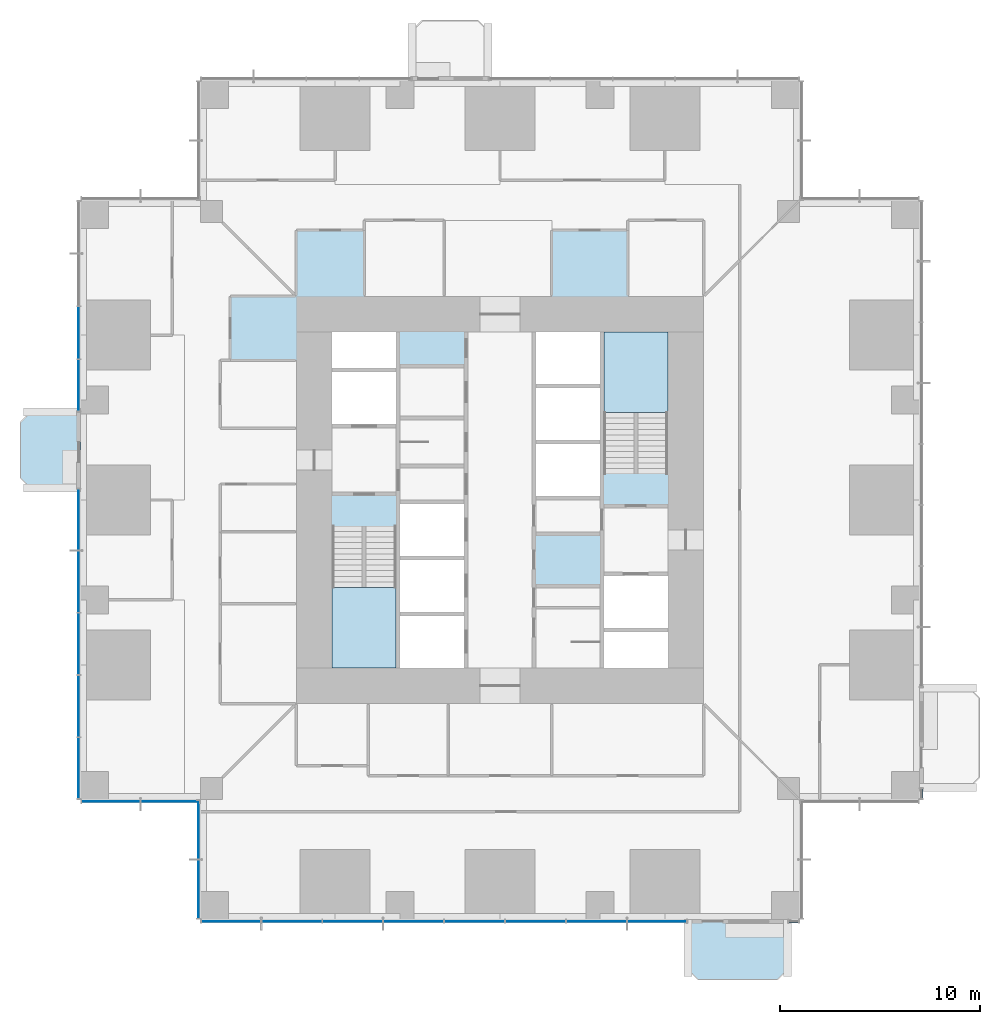
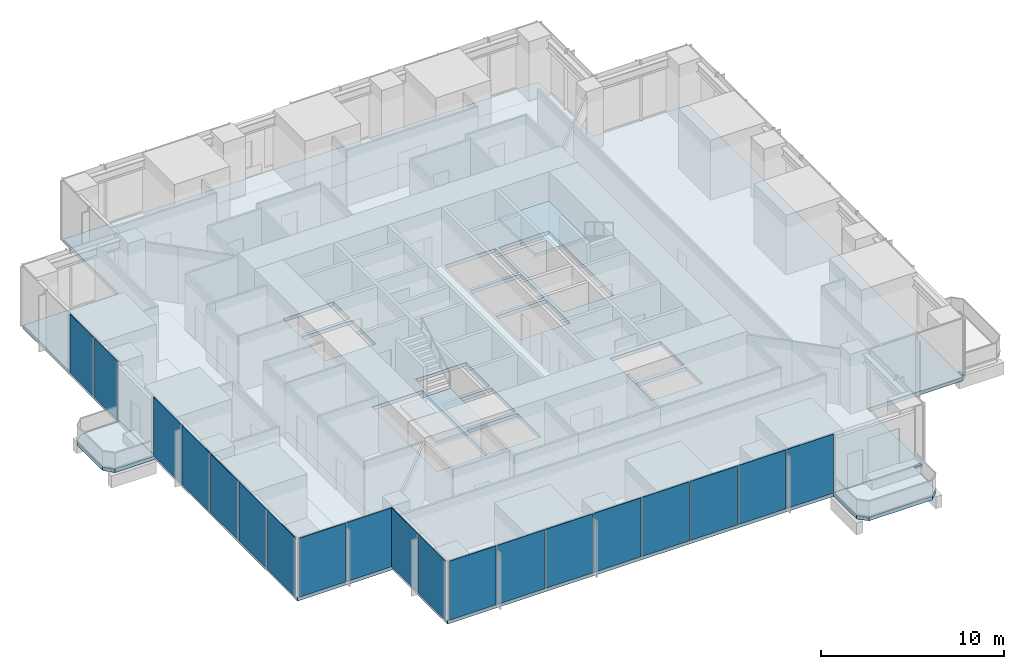
# One storey, part 7 of 15: 19 plates, 5 slabs, 2 members, 9 elements without a shape of their own.
"""IFC4 building model written with IfcOpenShell, lengths in metres."""

from ifc_helpers import new_model, si_unit, direction, frame, origin, origin_2d, place, context, subcontext, project, spatial, polyline, rectangle, outline, extrude, material, layer, layer_set, material_profile, profile_set, type_object, element, aggregate, save


model = new_model("IFC4")

# Units and contexts
model_context = context("Model", 3, precision=1e-05, world=origin(), true_north=direction((0.0, 1.0)))
body_context = subcontext(model_context, "Body", "Model", "MODEL_VIEW")
ifc_project = project(units=[si_unit("LENGTHUNIT", "METRE"), si_unit("AREAUNIT", "SQUARE_METRE"), si_unit("VOLUMEUNIT", "CUBIC_METRE"), si_unit("PLANEANGLEUNIT", "RADIAN"), si_unit("MASSUNIT", "GRAM", prefix="KILO")], contexts=[model_context])

# Site, building, storey
site_placement = place(None, origin())
site = spatial("IfcSite", under=ifc_project, at=site_placement, CompositionType="ELEMENT")
building_placement = place(site_placement, origin())
building = spatial("IfcBuilding", under=site, at=building_placement, Name="Svetlomir Tower", CompositionType="ELEMENT")
storey_placement = place(building_placement, frame((0.0, 0.0, 34.5)))
storey = spatial("IfcBuildingStorey", under=building, at=storey_placement, Name="L07", CompositionType="ELEMENT", Elevation=34.5)

# Curtain wall, member
ifc_material_1 = material(Name="Bronze anodised aluminium curtain wall", Category="aluminium")
curtain_wall_type = type_object("IfcCurtainWallType", Name="CURTAIN WALL CW1 TOWER OFFICE", PredefinedType="NOTDEFINED", material=ifc_material_1)
curtain_wall_1_placement = place(storey_placement, origin())
curtain_wall_1 = element("IfcCurtainWall", 1, at=curtain_wall_1_placement, inside=storey, type_object=curtain_wall_type, Name="Curtain wall CW1 L07", PredefinedType="NOTDEFINED")
ifc_material_2 = material(Name="Bronze anodised aluminium", Category="aluminium")
ifc_material_profile = material_profile(ifc_material_2, rectangle(XDim=0.139892578125, YDim=0.06494140625, at=origin_2d()), Name="AL 140x65")
ifc_profile_set = profile_set([ifc_material_profile], Name="Bronze anodised aluminium 6063-T6")
member_type = type_object("IfcMemberType", Name="CW1 TRANSOM 65x140", PredefinedType="USERDEFINED", material=ifc_profile_set)
member_1_placement = place(storey_placement, frame((35.465087890625, -0.10009765625, 0.032470703125), z_axis=(1.0, 0.0, 0.0), x_axis=(0.0, 1.0, 0.0)))
member_1 = element("IfcMember", 2, at=member_1_placement, type_object=member_type, Name="CW1 transom 1.1", ObjectType="TRANSOM", PredefinedType="USERDEFINED", context=body_context, shape_type="SweptSolid", body=[
    extrude(rectangle(XDim=0.139892578125, YDim=0.06494140625, at=origin_2d()), origin(), (0.0, 0.0, 1.0), 0.469970703125),
])
aggregate(curtain_wall_1, [member_1])

curtain_wall_2_placement = place(storey_placement, origin())
curtain_wall_2 = element("IfcCurtainWall", 3, at=curtain_wall_2_placement, inside=storey, type_object=curtain_wall_type, Name="Curtain wall CW1 L07", PredefinedType="NOTDEFINED")
member_2_placement = place(storey_placement, frame((42.10009765625, 6.06494140625, 0.032470703125), z_axis=(0.0, 1.0, 0.0), x_axis=(-1.0, 0.0, 0.0)))
member_2 = element("IfcMember", 4, at=member_2_placement, type_object=member_type, Name="CW1 transom 1.1", ObjectType="TRANSOM", PredefinedType="USERDEFINED", context=body_context, shape_type="SweptSolid", body=[
    extrude(rectangle(XDim=0.139892578125, YDim=0.06494140625, at=origin_2d()), origin(), (0.0, 0.0, 1.0), 0.469970703125),
])
aggregate(curtain_wall_2, [member_2])

# Slabs
ifc_material_3 = material(Name="Concrete C60/75", Category="concrete")
ifc_layer_1 = layer(ifc_material_3, 0.25)
ifc_layer_set_1 = layer_set([ifc_layer_1], Name="Concrete C60/75")
slab_type_1 = type_object("IfcSlabType", Name="BALCONY SLAB 250", PredefinedType="FLOOR", material=ifc_layer_set_1)
slab_1_placement = place(storey_placement, frame((0.0, 0.0, -0.25)))
element("IfcSlab", 5, at=slab_1_placement, inside=storey, type_object=slab_type_1, Name="L07 S planted balcony", PredefinedType="FLOOR", context=body_context, shape_type="SweptSolid", body=[
    extrude(outline(polyline([(30.39990234375, -2.5), (30.89990234375, -3.0), (34.89990234375, -3.0), (35.39990234375, -2.5), (35.39990234375, 0.0), (30.39990234375, 0.0), (30.39990234375, -2.5)])), origin(), (0.0, 0.0, 1.0), 0.25),
])
slab_2_placement = place(storey_placement, frame((0.0, 0.0, -0.25)))
element("IfcSlab", 6, at=slab_2_placement, inside=storey, type_object=slab_type_1, Name="L07 W planted balcony", PredefinedType="FLOOR", context=body_context, shape_type="SweptSolid", body=[
    extrude(outline(polyline([(-2.5, 21.60009765625), (0.0, 21.60009765625), (0.0, 25.39990234375), (-2.5, 25.39990234375), (-3.0, 24.89990234375), (-3.0, 22.10009765625), (-2.5, 21.60009765625)])), origin(), (0.0, 0.0, 1.0), 0.25),
])

# Curtain wall, plates
curtain_wall_3_placement = place(storey_placement, origin())
curtain_wall_3 = element("IfcCurtainWall", 7, at=curtain_wall_3_placement, inside=storey, type_object=curtain_wall_type, Name="Curtain wall CW1 L07", PredefinedType="NOTDEFINED")
ifc_material_4 = material(Name="Tinted double glazed unit", Category="glass")
ifc_layer_2 = layer(ifc_material_4, 0.031982421875)
ifc_layer_set_2 = layer_set([ifc_layer_2], Name="Tinted double glazed unit")
plate_type = type_object("IfcPlateType", Name="CW1 GLAZED PANEL 32", PredefinedType="CURTAIN_PANEL", material=ifc_layer_set_2)
plate_1_placement = place(storey_placement, frame((7.541259765625, -0.10009765625, 0.06494140625), z_axis=(0.0, 0.0, 1.0), x_axis=(1.0, 0.0, 0.0)))
plate_1 = element("IfcPlate", 8, at=plate_1_placement, type_object=plate_type, Name="CW1 panel 1.1", PredefinedType="CURTAIN_PANEL", context=body_context, shape_type="SweptSolid", body=[
    extrude(rectangle(XDim=2.952392578125, YDim=0.031982421875, at=origin_2d()), origin(), (0.0, 0.0, 1.0), 3.93505859375),
])
plate_2_placement = place(storey_placement, frame((10.574951171875, -0.10009765625, 0.06494140625), z_axis=(0.0, 0.0, 1.0), x_axis=(1.0, 0.0, 0.0)))
plate_2 = element("IfcPlate", 9, at=plate_2_placement, type_object=plate_type, Name="CW1 panel 2.1", PredefinedType="CURTAIN_PANEL", context=body_context, shape_type="SweptSolid", body=[
    extrude(rectangle(XDim=2.985107421875, YDim=0.031982421875, at=origin_2d()), origin(), (0.0, 0.0, 1.0), 3.93505859375),
])
plate_3_placement = place(storey_placement, frame((13.625, -0.10009765625, 0.06494140625), z_axis=(0.0, 0.0, 1.0), x_axis=(1.0, 0.0, 0.0)))
plate_3 = element("IfcPlate", 10, at=plate_3_placement, type_object=plate_type, Name="CW1 panel 3.1", PredefinedType="CURTAIN_PANEL", context=body_context, shape_type="SweptSolid", body=[
    extrude(rectangle(XDim=2.985107421875, YDim=0.031982421875, at=origin_2d()), origin(), (0.0, 0.0, 1.0), 3.93505859375),
])
plate_4_placement = place(storey_placement, frame((16.675048828125, -0.10009765625, 0.06494140625), z_axis=(0.0, 0.0, 1.0), x_axis=(1.0, 0.0, 0.0)))
plate_4 = element("IfcPlate", 11, at=plate_4_placement, type_object=plate_type, Name="CW1 panel 4.1", PredefinedType="CURTAIN_PANEL", context=body_context, shape_type="SweptSolid", body=[
    extrude(rectangle(XDim=2.985107421875, YDim=0.031982421875, at=origin_2d()), origin(), (0.0, 0.0, 1.0), 3.93505859375),
])
plate_5_placement = place(storey_placement, frame((19.72509765625, -0.10009765625, 0.06494140625), z_axis=(0.0, 0.0, 1.0), x_axis=(1.0, 0.0, 0.0)))
plate_5 = element("IfcPlate", 12, at=plate_5_placement, type_object=plate_type, Name="CW1 panel 5.1", PredefinedType="CURTAIN_PANEL", context=body_context, shape_type="SweptSolid", body=[
    extrude(rectangle(XDim=2.985107421875, YDim=0.031982421875, at=origin_2d()), origin(), (0.0, 0.0, 1.0), 3.93505859375),
])
plate_6_placement = place(storey_placement, frame((22.77490234375, -0.10009765625, 0.06494140625), z_axis=(0.0, 0.0, 1.0), x_axis=(1.0, 0.0, 0.0)))
plate_6 = element("IfcPlate", 13, at=plate_6_placement, type_object=plate_type, Name="CW1 panel 6.1", PredefinedType="CURTAIN_PANEL", context=body_context, shape_type="SweptSolid", body=[
    extrude(rectangle(XDim=2.985107421875, YDim=0.031982421875, at=origin_2d()), origin(), (0.0, 0.0, 1.0), 3.93505859375),
])
plate_7_placement = place(storey_placement, frame((25.824951171875, -0.10009765625, 0.06494140625), z_axis=(0.0, 0.0, 1.0), x_axis=(1.0, 0.0, 0.0)))
plate_7 = element("IfcPlate", 14, at=plate_7_placement, type_object=plate_type, Name="CW1 panel 7.1", PredefinedType="CURTAIN_PANEL", context=body_context, shape_type="SweptSolid", body=[
    extrude(rectangle(XDim=2.985107421875, YDim=0.031982421875, at=origin_2d()), origin(), (0.0, 0.0, 1.0), 3.93505859375),
])
plate_8_placement = place(storey_placement, frame((28.858642578125, -0.10009765625, 0.06494140625), z_axis=(0.0, 0.0, 1.0), x_axis=(1.0, 0.0, 0.0)))
plate_8 = element("IfcPlate", 15, at=plate_8_placement, type_object=plate_type, Name="CW1 panel 8.1", PredefinedType="CURTAIN_PANEL", context=body_context, shape_type="SweptSolid", body=[
    extrude(rectangle(XDim=2.952392578125, YDim=0.031982421875, at=origin_2d()), origin(), (0.0, 0.0, 1.0), 3.93505859375),
])
aggregate(curtain_wall_3, [plate_1, plate_2, plate_3, plate_4, plate_5, plate_6, plate_7, plate_8])

curtain_wall_4_placement = place(storey_placement, origin())
curtain_wall_4 = element("IfcCurtainWall", 16, at=curtain_wall_4_placement, inside=storey, type_object=curtain_wall_type, Name="Curtain wall CW1 L07", PredefinedType="NOTDEFINED")
plate_9_placement = place(storey_placement, frame((-0.10009765625, 29.375, 0.06494140625), z_axis=(0.0, 0.0, 1.0), x_axis=(0.0, -1.0, 0.0)))
plate_9 = element("IfcPlate", 17, at=plate_9_placement, type_object=plate_type, Name="CW1 panel 3.1", PredefinedType="CURTAIN_PANEL", context=body_context, shape_type="SweptSolid", body=[
    extrude(rectangle(XDim=2.5849609375, YDim=0.031982421875, at=origin_2d()), origin(), (0.0, 0.0, 1.0), 3.93505859375),
])
plate_10_placement = place(storey_placement, frame((-0.10009765625, 26.7412109375, 0.06494140625), z_axis=(0.0, 0.0, 1.0), x_axis=(0.0, -1.0, 0.0)))
plate_10 = element("IfcPlate", 18, at=plate_10_placement, type_object=plate_type, Name="CW1 panel 4.1", PredefinedType="CURTAIN_PANEL", context=body_context, shape_type="SweptSolid", body=[
    extrude(rectangle(XDim=2.552490234375, YDim=0.031982421875, at=origin_2d()), origin(), (0.0, 0.0, 1.0), 3.93505859375),
])
aggregate(curtain_wall_4, [plate_9, plate_10])

curtain_wall_5_placement = place(storey_placement, origin())
curtain_wall_5 = element("IfcCurtainWall", 19, at=curtain_wall_5_placement, inside=storey, type_object=curtain_wall_type, Name="Curtain wall CW1 L07", PredefinedType="NOTDEFINED")
plate_11_placement = place(storey_placement, frame((-0.10009765625, 20.023681640625, 0.06494140625), z_axis=(0.0, 0.0, 1.0), x_axis=(0.0, -1.0, 0.0)))
plate_11 = element("IfcPlate", 20, at=plate_11_placement, type_object=plate_type, Name="CW1 panel 1.1", PredefinedType="CURTAIN_PANEL", context=body_context, shape_type="SweptSolid", body=[
    extrude(rectangle(XDim=3.0224609375, YDim=0.031982421875, at=origin_2d()), origin(), (0.0, 0.0, 1.0), 3.93505859375),
])
plate_12_placement = place(storey_placement, frame((-0.10009765625, 16.919921875, 0.06494140625), z_axis=(0.0, 0.0, 1.0), x_axis=(0.0, -1.0, 0.0)))
plate_12 = element("IfcPlate", 21, at=plate_12_placement, type_object=plate_type, Name="CW1 panel 2.1", PredefinedType="CURTAIN_PANEL", context=body_context, shape_type="SweptSolid", body=[
    extrude(rectangle(XDim=3.054931640625, YDim=0.031982421875, at=origin_2d()), origin(), (0.0, 0.0, 1.0), 3.93505859375),
])
plate_13_placement = place(storey_placement, frame((-0.10009765625, 13.800048828125, 0.06494140625), z_axis=(0.0, 0.0, 1.0), x_axis=(0.0, -1.0, 0.0)))
plate_13 = element("IfcPlate", 22, at=plate_13_placement, type_object=plate_type, Name="CW1 panel 3.1", PredefinedType="CURTAIN_PANEL", context=body_context, shape_type="SweptSolid", body=[
    extrude(rectangle(XDim=3.054931640625, YDim=0.031982421875, at=origin_2d()), origin(), (0.0, 0.0, 1.0), 3.93505859375),
])
plate_14_placement = place(storey_placement, frame((-0.10009765625, 10.679931640625, 0.06494140625), z_axis=(0.0, 0.0, 1.0), x_axis=(0.0, -1.0, 0.0)))
plate_14 = element("IfcPlate", 23, at=plate_14_placement, type_object=plate_type, Name="CW1 panel 4.1", PredefinedType="CURTAIN_PANEL", context=body_context, shape_type="SweptSolid", body=[
    extrude(rectangle(XDim=3.054931640625, YDim=0.031982421875, at=origin_2d()), origin(), (0.0, 0.0, 1.0), 3.93505859375),
])
plate_15_placement = place(storey_placement, frame((-0.10009765625, 7.576171875, 0.06494140625), z_axis=(0.0, 0.0, 1.0), x_axis=(0.0, -1.0, 0.0)))
plate_15 = element("IfcPlate", 24, at=plate_15_placement, type_object=plate_type, Name="CW1 panel 5.1", PredefinedType="CURTAIN_PANEL", context=body_context, shape_type="SweptSolid", body=[
    extrude(rectangle(XDim=3.0224609375, YDim=0.031982421875, at=origin_2d()), origin(), (0.0, 0.0, 1.0), 3.93505859375),
])
aggregate(curtain_wall_5, [plate_11, plate_12, plate_13, plate_14, plate_15])

curtain_wall_6_placement = place(storey_placement, origin())
curtain_wall_6 = element("IfcCurtainWall", 25, at=curtain_wall_6_placement, inside=storey, type_object=curtain_wall_type, Name="Curtain wall CW1 L07", PredefinedType="NOTDEFINED")
plate_16_placement = place(storey_placement, frame((1.516357421875, 5.89990234375, 0.06494140625), z_axis=(0.0, 0.0, 1.0), x_axis=(1.0, 0.0, 0.0)))
plate_16 = element("IfcPlate", 26, at=plate_16_placement, type_object=plate_type, Name="CW1 panel 1.1", PredefinedType="CURTAIN_PANEL", context=body_context, shape_type="SweptSolid", body=[
    extrude(rectangle(XDim=2.902587890625, YDim=0.031982421875, at=origin_2d()), origin(), (0.0, 0.0, 1.0), 3.93505859375),
])
plate_17_placement = place(storey_placement, frame((4.483642578125, 5.89990234375, 0.06494140625), z_axis=(0.0, 0.0, 1.0), x_axis=(1.0, 0.0, 0.0)))
plate_17 = element("IfcPlate", 27, at=plate_17_placement, type_object=plate_type, Name="CW1 panel 2.1", PredefinedType="CURTAIN_PANEL", context=body_context, shape_type="SweptSolid", body=[
    extrude(rectangle(XDim=2.902587890625, YDim=0.031982421875, at=origin_2d()), origin(), (0.0, 0.0, 1.0), 3.93505859375),
])
aggregate(curtain_wall_6, [plate_16, plate_17])

curtain_wall_7_placement = place(storey_placement, origin())
curtain_wall_7 = element("IfcCurtainWall", 28, at=curtain_wall_7_placement, inside=storey, type_object=curtain_wall_type, Name="Curtain wall CW1 L07", PredefinedType="NOTDEFINED")
plate_18_placement = place(storey_placement, frame((5.89990234375, 4.483642578125, 0.06494140625), z_axis=(0.0, 0.0, 1.0), x_axis=(0.0, -1.0, 0.0)))
plate_18 = element("IfcPlate", 29, at=plate_18_placement, type_object=plate_type, Name="CW1 panel 1.1", PredefinedType="CURTAIN_PANEL", context=body_context, shape_type="SweptSolid", body=[
    extrude(rectangle(XDim=2.902587890625, YDim=0.031982421875, at=origin_2d()), origin(), (0.0, 0.0, 1.0), 3.93505859375),
])
plate_19_placement = place(storey_placement, frame((5.89990234375, 1.516357421875, 0.06494140625), z_axis=(0.0, 0.0, 1.0), x_axis=(0.0, -1.0, 0.0)))
plate_19 = element("IfcPlate", 30, at=plate_19_placement, type_object=plate_type, Name="CW1 panel 2.1", PredefinedType="CURTAIN_PANEL", context=body_context, shape_type="SweptSolid", body=[
    extrude(rectangle(XDim=2.902587890625, YDim=0.031982421875, at=origin_2d()), origin(), (0.0, 0.0, 1.0), 3.93505859375),
])
aggregate(curtain_wall_7, [plate_18, plate_19])

# Slab
ifc_material_5 = material(Name="Concrete C60/75", Category="concrete")
ifc_layer_3 = layer(ifc_material_5, 0.25)
ifc_layer_set_3 = layer_set([ifc_layer_3], Name="Concrete C60/75")
slab_type_2 = type_object("IfcSlabType", Name="FLOOR SLAB 250", PredefinedType="FLOOR", material=ifc_layer_set_3)
slab_3_placement = place(storey_placement, frame((0.0, 0.0, -0.25)))
element("IfcSlab", 31, at=slab_3_placement, inside=storey, type_object=slab_type_2, Name="L07 floor slab", PredefinedType="FLOOR", context=body_context, shape_type="SweptSolid", body=[
    extrude(outline(polyline([(6.0, 0.0), (36.0, 0.0), (36.0, 6.0), (42.0, 6.0), (42.0, 36.0), (36.0, 36.0), (36.0, 42.0), (6.0, 42.0), (6.0, 36.0), (0.0, 36.0), (0.0, 6.0), (6.0, 6.0), (6.0, 0.0)]), holes=[polyline([(12.60009765625, 24.800048828125), (15.800048828125, 24.800048828125), (15.800048828125, 27.39990234375), (12.60009765625, 27.39990234375), (12.60009765625, 24.800048828125)]), polyline([(26.199951171875, 14.60009765625), (29.39990234375, 14.60009765625), (29.39990234375, 17.199951171875), (26.199951171875, 17.199951171875), (26.199951171875, 14.60009765625)]), polyline([(16.0, 12.60009765625), (19.199951171875, 12.60009765625), (19.199951171875, 15.199951171875), (16.0, 15.199951171875), (16.0, 12.60009765625)]), polyline([(16.0, 15.39990234375), (19.199951171875, 15.39990234375), (19.199951171875, 18.0), (16.0, 18.0), (16.0, 15.39990234375)]), polyline([(16.0, 18.199951171875), (19.199951171875, 18.199951171875), (19.199951171875, 20.800048828125), (16.0, 20.800048828125), (16.0, 18.199951171875)]), polyline([(22.800048828125, 21.199951171875), (26.0, 21.199951171875), (26.0, 23.800048828125), (22.800048828125, 23.800048828125), (22.800048828125, 21.199951171875)]), polyline([(22.800048828125, 24.0), (26.0, 24.0), (26.0, 26.60009765625), (22.800048828125, 26.60009765625), (22.800048828125, 24.0)]), polyline([(22.800048828125, 26.800048828125), (26.0, 26.800048828125), (26.0, 29.39990234375), (22.800048828125, 29.39990234375), (22.800048828125, 26.800048828125)]), polyline([(12.60009765625, 27.60009765625), (15.800048828125, 27.60009765625), (15.800048828125, 29.39990234375), (12.60009765625, 29.39990234375), (12.60009765625, 27.60009765625)]), polyline([(26.199951171875, 12.60009765625), (29.39990234375, 12.60009765625), (29.39990234375, 14.39990234375), (26.199951171875, 14.39990234375), (26.199951171875, 12.60009765625)]), polyline([(12.60009765625, 12.60009765625), (15.800048828125, 12.60009765625), (15.800048828125, 19.679931640625), (12.60009765625, 19.679931640625), (12.60009765625, 12.60009765625)]), polyline([(26.199951171875, 22.320068359375), (29.39990234375, 22.320068359375), (29.39990234375, 29.39990234375), (26.199951171875, 29.39990234375), (26.199951171875, 22.320068359375)])]), origin(), (0.0, 0.0, 1.0), 0.25),
])

# Stair, slab
ifc_material_6 = material(Name="Concrete C60/75", Category="concrete")
stair_type = type_object("IfcStairType", Name="EXIT STAIR 3200 RISE 4000", PredefinedType="HALF_TURN_STAIR", material=ifc_material_6)
stair_1_placement = place(storey_placement, origin())
stair_1 = element("IfcStair", 32, at=stair_1_placement, inside=storey, type_object=stair_type, Name="Stair S1 L07 to L08", PredefinedType="HALF_TURN_STAIR")
ifc_material_7 = material(Name="Concrete C60/75", Category="concrete")
ifc_layer_4 = layer(ifc_material_7, 0.199951171875)
ifc_layer_set_4 = layer_set([ifc_layer_4], Name="Concrete C60/75")
slab_type_3 = type_object("IfcSlabType", Name="STAIR LANDING 200", PredefinedType="LANDING", material=ifc_layer_set_4)
slab_4_placement = place(storey_placement, frame((0.0, 0.0, 1.800048828125)))
slab_4 = element("IfcSlab", 33, at=slab_4_placement, type_object=slab_type_3, Name="S1 landing 1", PredefinedType="LANDING", context=body_context, shape_type="SweptSolid", body=[
    extrude(outline(polyline([(12.60009765625, 12.60009765625), (15.800048828125, 12.60009765625), (15.800048828125, 16.6201171875), (12.60009765625, 16.6201171875), (12.60009765625, 12.60009765625)])), origin(), (0.0, 0.0, 1.0), 0.199951171875),
])
aggregate(stair_1, [slab_4])

stair_2_placement = place(storey_placement, origin())
stair_2 = element("IfcStair", 34, at=stair_2_placement, inside=storey, type_object=stair_type, Name="Stair S2 L07 to L08", PredefinedType="HALF_TURN_STAIR")
slab_5_placement = place(storey_placement, frame((0.0, 0.0, 1.800048828125)))
slab_5 = element("IfcSlab", 35, at=slab_5_placement, type_object=slab_type_3, Name="S2 landing 1", PredefinedType="LANDING", context=body_context, shape_type="SweptSolid", body=[
    extrude(outline(polyline([(26.199951171875, 25.3798828125), (29.39990234375, 25.3798828125), (29.39990234375, 29.39990234375), (26.199951171875, 29.39990234375), (26.199951171875, 25.3798828125)])), origin(), (0.0, 0.0, 1.0), 0.199951171875),
])
aggregate(stair_2, [slab_5])

save(model, "model.ifc")
